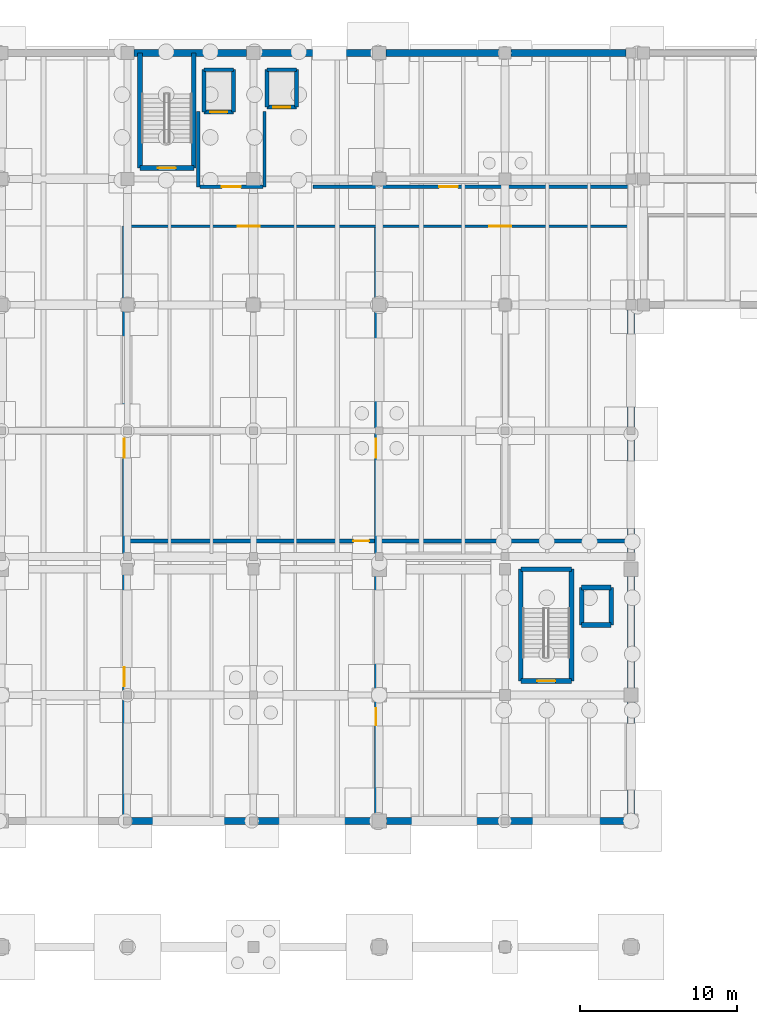
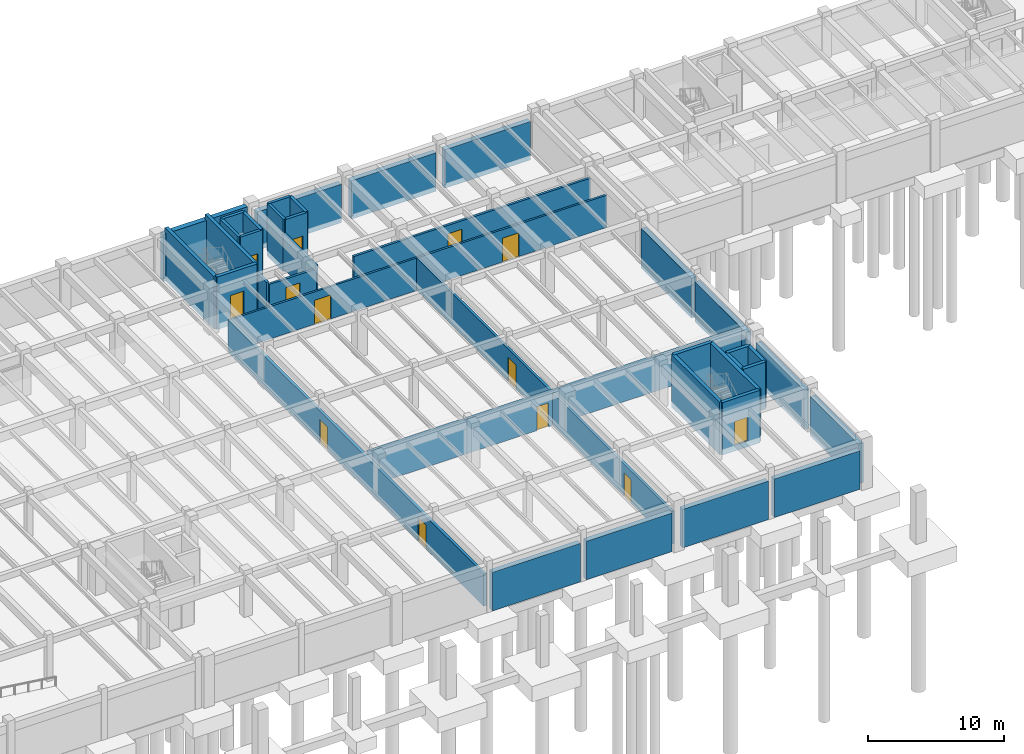
# One storey, part 15 of 25: 39 walls, 13 doors, 13 openings.
"""IFC4 building model written with IfcOpenShell, lengths in metres."""

from ifc_helpers import new_model, si_unit, direction, frame, frame_2d, origin, place, context, subcontext, project, spatial, rectangle, extrude, material, layer, layer_set, type_object, element, fill, save


model = new_model("IFC4")

# Units and contexts
model_context = context("Model", 3, precision=1e-05, world=origin(), true_north=direction((0.0, 1.0)))
body_context = subcontext(model_context, "Body", "Model", "MODEL_VIEW")
ifc_project = project(units=[si_unit("LENGTHUNIT", "METRE"), si_unit("AREAUNIT", "SQUARE_METRE"), si_unit("VOLUMEUNIT", "CUBIC_METRE"), si_unit("PLANEANGLEUNIT", "RADIAN"), si_unit("MASSUNIT", "GRAM", prefix="KILO")], contexts=[model_context])

# Site, building, storey
site_placement = place(None, origin())
site = spatial("IfcSite", under=ifc_project, at=site_placement, CompositionType="ELEMENT")
building_placement = place(site_placement, origin())
building = spatial("IfcBuilding", under=site, at=building_placement, Name="Tlaxcora Railside Police Headquarters", CompositionType="ELEMENT")
storey_placement = place(building_placement, frame((0.0, 0.0, -4.199951171875)))
storey = spatial("IfcBuildingStorey", under=building, at=storey_placement, Name="B1", CompositionType="ELEMENT", Elevation=-4.199951171875)

# Wall, openings, doors
ifc_material_1 = material(Name="Gypsum acoustic partition board")
ifc_layer_1 = layer(ifc_material_1, 0.175048828125, Name="Gypsum acoustic partition board")
ifc_layer_set_1 = layer_set([ifc_layer_1], Name="Gypsum acoustic partition board")
wall_type_1 = type_object("IfcWallType", Name="Interior Partition Wall IW-22", PredefinedType="PARTITIONING", material=ifc_layer_set_1)
wall_1_placement = place(storey_placement, frame((70.0, 81.800048828125, 0.0), z_axis=(0.0, 0.0, 1.0), x_axis=(1.0, 0.0, 0.0)))
wall_1 = element("IfcWall", 1, at=wall_1_placement, inside=storey, type_object=wall_type_1, Name="V5 B1 interior partition 12", PredefinedType="PARTITIONING", context=body_context, shape_type="SweptSolid", body=[
    extrude(rectangle(XDim=31.919921875, YDim=0.175048828125, at=frame_2d((15.9599609375, 0.0))), origin(), (0.0, 0.0, 1.0), 2.9150390625),
])
opening_1_placement = place(wall_1_placement, frame((7.0, 0.0, 0.0)))
opening_1 = element("IfcOpeningElement", 2, at=opening_1_placement, cuts=wall_1, Name="Opening D-B1-066", PredefinedType="OPENING", context=body_context, shape_type="SweptSolid", body=[
    extrude(rectangle(XDim=1.39990234375, YDim=2.14990234375, at=frame_2d((0.699951171875, 1.074951171875))), frame((0.0, 0.09765625, 0.0), z_axis=(0.0, -1.0, 0.0), x_axis=(1.0, 0.0, 0.0)), (0.0, 0.0, 1.0), 0.195068359375),
])
opening_2_placement = place(wall_1_placement, frame((23.0, 0.0, 0.0)))
opening_2 = element("IfcOpeningElement", 3, at=opening_2_placement, cuts=wall_1, Name="Opening D-B1-067", PredefinedType="OPENING", context=body_context, shape_type="SweptSolid", body=[
    extrude(rectangle(XDim=1.39990234375, YDim=2.14990234375, at=frame_2d((0.699951171875, 1.074951171875))), frame((0.0, 0.09765625, 0.0), z_axis=(0.0, -1.0, 0.0), x_axis=(1.0, 0.0, 0.0)), (0.0, 0.0, 1.0), 0.195068359375),
])
ifc_material_2 = material(Name="Steel ASTM A992 Grade 50", Category="steel")
door_type_1 = type_object("IfcDoorType", Name="Swing or Sliding Personnel Door ID-97", OperationType="NOTDEFINED", PredefinedType="DOOR", material=ifc_material_2)
door_1_placement = place(opening_1_placement, origin())
door_1 = element("IfcDoor", 4, at=door_1_placement, inside=storey, type_object=door_type_1, Name="V5 B1 door D-B1-066", OperationType="DOUBLE_DOOR_SINGLE_SWING", OverallHeight=2.14990234375, OverallWidth=1.39990234375, PredefinedType="DOOR", context=body_context, shape_type="SweptSolid", body=[
    extrude(rectangle(XDim=1.39990234375, YDim=2.14990234375, at=frame_2d((0.699951171875, 1.074951171875))), frame((0.0, 0.02490234375, 0.0), z_axis=(0.0, -1.0, 0.0), x_axis=(1.0, 0.0, 0.0)), (0.0, 0.0, 1.0), 0.050048828125),
])
fill(opening_1, door_1)
door_2_placement = place(opening_2_placement, origin())
door_2 = element("IfcDoor", 5, at=door_2_placement, inside=storey, type_object=door_type_1, Name="V5 B1 door D-B1-067", OperationType="DOUBLE_DOOR_SINGLE_SWING", OverallHeight=2.14990234375, OverallWidth=1.39990234375, PredefinedType="DOOR", context=body_context, shape_type="SweptSolid", body=[
    extrude(rectangle(XDim=1.39990234375, YDim=2.14990234375, at=frame_2d((0.699951171875, 1.074951171875))), frame((0.0, 0.02490234375, 0.0), z_axis=(0.0, -1.0, 0.0), x_axis=(1.0, 0.0, 0.0)), (0.0, 0.0, 1.0), 0.050048828125),
])
fill(opening_2, door_2)

# Wall, opening, door
ifc_material_3 = material(Name="Pressed clay brick masonry", Category="masonry")
ifc_layer_2 = layer(ifc_material_3, 0.199951171875, Name="Pressed clay brick masonry")
ifc_layer_set_2 = layer_set([ifc_layer_2], Name="Pressed clay brick masonry")
wall_type_2 = type_object("IfcWallType", Name="Interior Partition Wall IW-60", PredefinedType="PARTITIONING", material=ifc_layer_set_2)
wall_2_placement = place(storey_placement, frame((74.60009765625, 84.300048828125, 0.0), z_axis=(0.0, 0.0, 1.0), x_axis=(1.0, 0.0, 0.0)))
wall_2 = element("IfcWall", 6, at=wall_2_placement, inside=storey, type_object=wall_type_2, Name="V5 B1 interior partition 4", PredefinedType="PARTITIONING", context=body_context, shape_type="SweptSolid", body=[
    extrude(rectangle(XDim=4.0, YDim=0.199951171875, at=frame_2d((2.0, 0.0))), origin(), (0.0, 0.0, 1.0), 2.9150390625),
])
opening_3_placement = place(wall_2_placement, frame((1.39990234375, 0.0, 0.0)))
opening_3 = element("IfcOpeningElement", 7, at=opening_3_placement, cuts=wall_2, Name="Opening D-B1-060", PredefinedType="OPENING", context=body_context, shape_type="SweptSolid", body=[
    extrude(rectangle(XDim=1.199951171875, YDim=2.14990234375, at=frame_2d((0.60009765625, 1.074951171875))), frame((0.0, 0.10986328125, 0.0), z_axis=(0.0, -1.0, 0.0), x_axis=(1.0, 0.0, 0.0)), (0.0, 0.0, 1.0), 0.219970703125),
])
door_type_2 = type_object("IfcDoorType", Name="Swing or Sliding Personnel Door ID-14", OperationType="NOTDEFINED", PredefinedType="DOOR", material=ifc_material_2)
door_3_placement = place(opening_3_placement, origin())
door_3 = element("IfcDoor", 8, at=door_3_placement, inside=storey, type_object=door_type_2, Name="V5 B1 door D-B1-060", OperationType="DOUBLE_DOOR_SINGLE_SWING", OverallHeight=2.14990234375, OverallWidth=1.199951171875, PredefinedType="DOOR", context=body_context, shape_type="SweptSolid", body=[
    extrude(rectangle(XDim=1.199951171875, YDim=2.14990234375, at=frame_2d((0.60009765625, 1.074951171875))), frame((0.0, 0.02490234375, 0.0), z_axis=(0.0, -1.0, 0.0), x_axis=(1.0, 0.0, 0.0)), (0.0, 0.0, 1.0), 0.050048828125),
])
fill(opening_3, door_3)

# Walls
wall_3_placement = place(storey_placement, frame((74.5, 84.300048828125, 0.0), z_axis=(0.0, 0.0, 1.0), x_axis=(0.0, 1.0, 0.0)))
element("IfcWall", 9, at=wall_3_placement, inside=storey, type_object=wall_type_2, Name="V5 B1 interior partition 5", PredefinedType="PARTITIONING", context=body_context, shape_type="SweptSolid", body=[
    extrude(rectangle(XDim=4.800048828125, YDim=0.199951171875, at=frame_2d((2.39990234375, 0.0))), origin(), (0.0, 0.0, 1.0), 3.114990234375),
])
wall_4_placement = place(storey_placement, frame((78.699951171875, 84.300048828125, 0.0), z_axis=(0.0, 0.0, 1.0), x_axis=(0.0, 1.0, 0.0)))
element("IfcWall", 10, at=wall_4_placement, inside=storey, type_object=wall_type_2, Name="V5 B1 interior partition 6", PredefinedType="PARTITIONING", context=body_context, shape_type="SweptSolid", body=[
    extrude(rectangle(XDim=4.800048828125, YDim=0.199951171875, at=frame_2d((2.39990234375, 0.0))), origin(), (0.0, 0.0, 1.0), 3.1650390625),
])

# Wall, openings, doors
wall_5_placement = place(storey_placement, frame((85.800048828125, 44.080078125, 0.0), z_axis=(0.0, 0.0, 1.0), x_axis=(0.0, 1.0, 0.0)))
wall_5 = element("IfcWall", 11, at=wall_5_placement, inside=storey, type_object=wall_type_2, Name="V5 B1 interior partition 11", PredefinedType="PARTITIONING", context=body_context, shape_type="SweptSolid", body=[
    extrude(rectangle(XDim=37.719970703125, YDim=0.199951171875, at=frame_2d((18.85986328125, 0.0))), origin(), (0.0, 0.0, 1.0), 2.9150390625),
])
opening_4_placement = place(wall_5_placement, frame((6.0, 0.0, 0.0)))
opening_4 = element("IfcOpeningElement", 12, at=opening_4_placement, cuts=wall_5, Name="Opening D-B1-064", PredefinedType="OPENING", context=body_context, shape_type="SweptSolid", body=[
    extrude(rectangle(XDim=1.10009765625, YDim=2.14990234375, at=frame_2d((0.550048828125, 1.074951171875))), frame((0.0, 0.10986328125, 0.0), z_axis=(0.0, -1.0, 0.0), x_axis=(1.0, 0.0, 0.0)), (0.0, 0.0, 1.0), 0.219970703125),
])
opening_5_placement = place(wall_5_placement, frame((23.0, 0.0, 0.0)))
opening_5 = element("IfcOpeningElement", 13, at=opening_5_placement, cuts=wall_5, Name="Opening D-B1-065", PredefinedType="OPENING", context=body_context, shape_type="SweptSolid", body=[
    extrude(rectangle(XDim=1.199951171875, YDim=2.14990234375, at=frame_2d((0.60009765625, 1.074951171875))), frame((0.0, 0.10986328125, 0.0), z_axis=(0.0, -1.0, 0.0), x_axis=(1.0, 0.0, 0.0)), (0.0, 0.0, 1.0), 0.219970703125),
])
door_4_placement = place(opening_5_placement, origin())
door_4 = element("IfcDoor", 14, at=door_4_placement, inside=storey, type_object=door_type_2, Name="V5 B1 door D-B1-065", OperationType="DOUBLE_DOOR_SINGLE_SWING", OverallHeight=2.14990234375, OverallWidth=1.199951171875, PredefinedType="DOOR", context=body_context, shape_type="SweptSolid", body=[
    extrude(rectangle(XDim=1.199951171875, YDim=2.14990234375, at=frame_2d((0.60009765625, 1.074951171875))), frame((0.0, 0.02490234375, 0.0), z_axis=(0.0, -1.0, 0.0), x_axis=(1.0, 0.0, 0.0)), (0.0, 0.0, 1.0), 0.050048828125),
])
fill(opening_5, door_4)
door_type_3 = type_object("IfcDoorType", Name="Swing or Sliding Personnel Door ID-25", OperationType="NOTDEFINED", PredefinedType="DOOR", material=ifc_material_2)
door_5_placement = place(opening_4_placement, origin())
door_5 = element("IfcDoor", 15, at=door_5_placement, inside=storey, type_object=door_type_3, Name="V5 B1 door D-B1-064", OperationType="SINGLE_SWING_RIGHT", OverallHeight=2.14990234375, OverallWidth=1.10009765625, PredefinedType="DOOR", context=body_context, shape_type="SweptSolid", body=[
    extrude(rectangle(XDim=1.10009765625, YDim=2.14990234375, at=frame_2d((0.550048828125, 1.074951171875))), frame((0.0, 0.02490234375, 0.0), z_axis=(0.0, -1.0, 0.0), x_axis=(1.0, 0.0, 0.0)), (0.0, 0.0, 1.0), 0.050048828125),
])
fill(opening_4, door_5)

# Wall, opening, door
wall_6_placement = place(storey_placement, frame((81.800048828125, 84.300048828125, 0.0), z_axis=(0.0, 0.0, 1.0), x_axis=(1.0, 0.0, 0.0)))
wall_6 = element("IfcWall", 16, at=wall_6_placement, inside=storey, type_object=wall_type_2, Name="V5 B1 interior partition 16", PredefinedType="PARTITIONING", context=body_context, shape_type="SweptSolid", body=[
    extrude(rectangle(XDim=20.119873046875, YDim=0.199951171875, at=frame_2d((10.06005859375, 0.0))), origin(), (0.0, 0.0, 1.0), 2.9150390625),
])
opening_6_placement = place(wall_6_placement, frame((8.0, 0.0, 0.0)))
opening_6 = element("IfcOpeningElement", 17, at=opening_6_placement, cuts=wall_6, Name="Opening D-B1-071", PredefinedType="OPENING", context=body_context, shape_type="SweptSolid", body=[
    extrude(rectangle(XDim=1.199951171875, YDim=2.14990234375, at=frame_2d((0.60009765625, 1.074951171875))), frame((0.0, 0.10986328125, 0.0), z_axis=(0.0, -1.0, 0.0), x_axis=(1.0, 0.0, 0.0)), (0.0, 0.0, 1.0), 0.219970703125),
])
door_6_placement = place(opening_6_placement, origin())
door_6 = element("IfcDoor", 18, at=door_6_placement, inside=storey, type_object=door_type_2, Name="V5 B1 door D-B1-071", OperationType="DOUBLE_DOOR_SINGLE_SWING", OverallHeight=2.14990234375, OverallWidth=1.199951171875, PredefinedType="DOOR", context=body_context, shape_type="SweptSolid", body=[
    extrude(rectangle(XDim=1.199951171875, YDim=2.14990234375, at=frame_2d((0.60009765625, 1.074951171875))), frame((0.0, 0.02490234375, 0.0), z_axis=(0.0, -1.0, 0.0), x_axis=(1.0, 0.0, 0.0)), (0.0, 0.0, 1.0), 0.050048828125),
])
fill(opening_6, door_6)

# Wall, openings, doors
ifc_layer_3 = layer(ifc_material_3, 0.239990234375, Name="Pressed clay brick masonry")
ifc_layer_set_3 = layer_set([ifc_layer_3], Name="Pressed clay brick masonry")
wall_type_3 = type_object("IfcWallType", Name="Interior Partition Wall IW-85", PredefinedType="PARTITIONING", material=ifc_layer_set_3)
wall_7_placement = place(storey_placement, frame((69.800048828125, 44.080078125, 0.0), z_axis=(0.0, 0.0, 1.0), x_axis=(0.0, 1.0, 0.0)))
wall_7 = element("IfcWall", 19, at=wall_7_placement, inside=storey, type_object=wall_type_3, Name="V5 B1 interior partition 9", PredefinedType="PARTITIONING", context=body_context, shape_type="SweptSolid", body=[
    extrude(rectangle(XDim=37.719970703125, YDim=0.239990234375, at=frame_2d((18.85986328125, 0.0))), origin(), (0.0, 0.0, 1.0), 2.9150390625),
])
opening_7_placement = place(wall_7_placement, frame((8.5, 0.0, 0.0)))
opening_7 = element("IfcOpeningElement", 20, at=opening_7_placement, cuts=wall_7, Name="Opening D-B1-061", PredefinedType="OPENING", context=body_context, shape_type="SweptSolid", body=[
    extrude(rectangle(XDim=1.199951171875, YDim=2.14990234375, at=frame_2d((0.60009765625, 1.074951171875))), frame((0.0, 0.1298828125, 0.0), z_axis=(0.0, -1.0, 0.0), x_axis=(1.0, 0.0, 0.0)), (0.0, 0.0, 1.0), 0.260009765625),
])
opening_8_placement = place(wall_7_placement, frame((23.0, 0.0, 0.0)))
opening_8 = element("IfcOpeningElement", 21, at=opening_8_placement, cuts=wall_7, Name="Opening D-B1-062", PredefinedType="OPENING", context=body_context, shape_type="SweptSolid", body=[
    extrude(rectangle(XDim=1.199951171875, YDim=2.14990234375, at=frame_2d((0.60009765625, 1.074951171875))), frame((0.0, 0.1298828125, 0.0), z_axis=(0.0, -1.0, 0.0), x_axis=(1.0, 0.0, 0.0)), (0.0, 0.0, 1.0), 0.260009765625),
])
door_7_placement = place(opening_7_placement, origin())
door_7 = element("IfcDoor", 22, at=door_7_placement, inside=storey, type_object=door_type_2, Name="V5 B1 door D-B1-061", OperationType="DOUBLE_DOOR_SINGLE_SWING", OverallHeight=2.14990234375, OverallWidth=1.199951171875, PredefinedType="DOOR", context=body_context, shape_type="SweptSolid", body=[
    extrude(rectangle(XDim=1.199951171875, YDim=2.14990234375, at=frame_2d((0.60009765625, 1.074951171875))), frame((0.0, 0.02490234375, 0.0), z_axis=(0.0, -1.0, 0.0), x_axis=(1.0, 0.0, 0.0)), (0.0, 0.0, 1.0), 0.050048828125),
])
fill(opening_7, door_7)
door_8_placement = place(opening_8_placement, origin())
door_8 = element("IfcDoor", 23, at=door_8_placement, inside=storey, type_object=door_type_2, Name="V5 B1 door D-B1-062", OperationType="DOUBLE_DOOR_SINGLE_SWING", OverallHeight=2.14990234375, OverallWidth=1.199951171875, PredefinedType="DOOR", context=body_context, shape_type="SweptSolid", body=[
    extrude(rectangle(XDim=1.199951171875, YDim=2.14990234375, at=frame_2d((0.60009765625, 1.074951171875))), frame((0.0, 0.02490234375, 0.0), z_axis=(0.0, -1.0, 0.0), x_axis=(1.0, 0.0, 0.0)), (0.0, 0.0, 1.0), 0.050048828125),
])
fill(opening_8, door_8)

# Wall, opening, door
wall_8_placement = place(storey_placement, frame((70.0, 61.800048828125, 0.0), z_axis=(0.0, 0.0, 1.0), x_axis=(1.0, 0.0, 0.0)))
wall_8 = element("IfcWall", 24, at=wall_8_placement, inside=storey, type_object=wall_type_3, Name="V5 B1 interior partition 10", PredefinedType="PARTITIONING", context=body_context, shape_type="SweptSolid", body=[
    extrude(rectangle(XDim=31.919921875, YDim=0.239990234375, at=frame_2d((15.9599609375, 0.0))), origin(), (0.0, 0.0, 1.0), 3.114990234375),
])
opening_9_placement = place(wall_8_placement, frame((14.360107421875, 0.0, 0.0)))
opening_9 = element("IfcOpeningElement", 25, at=opening_9_placement, cuts=wall_8, Name="Opening D-B1-063", PredefinedType="OPENING", context=body_context, shape_type="SweptSolid", body=[
    extrude(rectangle(XDim=1.0, YDim=2.14990234375, at=frame_2d((0.5, 1.074951171875))), frame((0.0, 0.1298828125, 0.0), z_axis=(0.0, -1.0, 0.0), x_axis=(1.0, 0.0, 0.0)), (0.0, 0.0, 1.0), 0.260009765625),
])
door_type_4 = type_object("IfcDoorType", Name="Swing or Sliding Personnel Door ID-55", OperationType="NOTDEFINED", PredefinedType="DOOR", material=ifc_material_2)
door_9_placement = place(opening_9_placement, origin())
door_9 = element("IfcDoor", 26, at=door_9_placement, inside=storey, type_object=door_type_4, Name="V5 B1 door D-B1-063", OperationType="SINGLE_SWING_LEFT", OverallHeight=2.14990234375, OverallWidth=1.0, PredefinedType="DOOR", context=body_context, shape_type="SweptSolid", body=[
    extrude(rectangle(XDim=1.0, YDim=2.14990234375, at=frame_2d((0.5, 1.074951171875))), frame((0.0, 0.02490234375, 0.0), z_axis=(0.0, -1.0, 0.0), x_axis=(1.0, 0.0, 0.0)), (0.0, 0.0, 1.0), 0.050048828125),
])
fill(opening_9, door_9)

ifc_material_4 = material(Name="Concrete C40/50", Category="concrete")
ifc_layer_4 = layer(ifc_material_4, 0.25, Name="Concrete C40/50")
ifc_layer_set_4 = layer_set([ifc_layer_4], Name="Concrete C40/50")
wall_type_4 = type_object("IfcWallType", Name="Shear Core Wall IW-13", PredefinedType="SHEAR", material=ifc_layer_set_4)
wall_9_placement = place(storey_placement, frame((74.860107421875, 89.06005859375, -0.5), z_axis=(0.0, 0.0, 1.0), x_axis=(1.0, 0.0, 0.0)))
wall_9 = element("IfcWall", 27, at=wall_9_placement, inside=storey, type_object=wall_type_4, Name="Lift FFL-02 B1 shaft wall S", PredefinedType="SHEAR", context=body_context, shape_type="SweptSolid", body=[
    extrude(rectangle(XDim=1.8798828125, YDim=0.25, at=frame_2d((0.93994140625, 0.0))), origin(), (0.0, 0.0, 1.0), 4.699951171875),
])
opening_10_placement = place(wall_9_placement, frame((0.389892578125, 0.0, 0.5)))
opening_10 = element("IfcOpeningElement", 28, at=opening_10_placement, cuts=wall_9, Name="Opening LD-FFL-02-B1", PredefinedType="OPENING", context=body_context, shape_type="SweptSolid", body=[
    extrude(rectangle(XDim=1.10009765625, YDim=2.199951171875, at=frame_2d((0.550048828125, 1.10009765625))), frame((0.0, 0.135009765625, 0.0), z_axis=(0.0, -1.0, 0.0), x_axis=(1.0, 0.0, 0.0)), (0.0, 0.0, 1.0), 0.27001953125),
])
door_type_5 = type_object("IfcDoorType", Name="Swing or Sliding Personnel Door ID-15", OperationType="NOTDEFINED", PredefinedType="DOOR", material=ifc_material_2)
door_10_placement = place(opening_10_placement, origin())
door_10 = element("IfcDoor", 29, at=door_10_placement, inside=storey, type_object=door_type_5, Name="Lift FFL-02 B1 sliding landing door", OperationType="DOUBLE_DOOR_SLIDING", OverallHeight=2.199951171875, OverallWidth=1.10009765625, PredefinedType="DOOR", context=body_context, shape_type="SweptSolid", body=[
    extrude(rectangle(XDim=1.10009765625, YDim=2.199951171875, at=frame_2d((0.550048828125, 1.10009765625))), frame((0.0, 0.02490234375, 0.0), z_axis=(0.0, -1.0, 0.0), x_axis=(1.0, 0.0, 0.0)), (0.0, 0.0, 1.0), 0.050048828125),
])
fill(opening_10, door_10)

# Walls
wall_10_placement = place(storey_placement, frame((76.739990234375, 89.06005859375, -0.5), z_axis=(0.0, 0.0, 1.0), x_axis=(0.0, 1.0, 0.0)))
element("IfcWall", 30, at=wall_10_placement, inside=storey, type_object=wall_type_4, Name="Lift FFL-02 B1 shaft wall E", PredefinedType="SHEAR", context=body_context, shape_type="SweptSolid", body=[
    extrude(rectangle(XDim=2.679931640625, YDim=0.25, at=frame_2d((1.33984375, 0.0))), origin(), (0.0, 0.0, 1.0), 4.699951171875),
])
wall_11_placement = place(storey_placement, frame((76.739990234375, 91.739990234375, -0.5), z_axis=(0.0, 0.0, 1.0), x_axis=(-1.0, 0.0, 0.0)))
element("IfcWall", 31, at=wall_11_placement, inside=storey, type_object=wall_type_4, Name="Lift FFL-02 B1 shaft wall N", PredefinedType="SHEAR", context=body_context, shape_type="SweptSolid", body=[
    extrude(rectangle(XDim=1.8798828125, YDim=0.25, at=frame_2d((0.93994140625, 0.0))), origin(), (0.0, 0.0, 1.0), 4.699951171875),
])
wall_12_placement = place(storey_placement, frame((74.860107421875, 91.739990234375, -0.5), z_axis=(0.0, 0.0, 1.0), x_axis=(0.0, -1.0, 0.0)))
element("IfcWall", 32, at=wall_12_placement, inside=storey, type_object=wall_type_4, Name="Lift FFL-02 B1 shaft wall W", PredefinedType="SHEAR", context=body_context, shape_type="SweptSolid", body=[
    extrude(rectangle(XDim=2.679931640625, YDim=0.25, at=frame_2d((1.33984375, 0.0))), origin(), (0.0, 0.0, 1.0), 4.699951171875),
])

# Wall, opening, door
wall_13_placement = place(storey_placement, frame((78.860107421875, 89.360107421875, -0.5), z_axis=(0.0, 0.0, 1.0), x_axis=(1.0, 0.0, 0.0)))
wall_13 = element("IfcWall", 33, at=wall_13_placement, inside=storey, type_object=wall_type_4, Name="Lift PL-03 B1 shaft wall S", PredefinedType="SHEAR", context=body_context, shape_type="SweptSolid", body=[
    extrude(rectangle(XDim=1.8798828125, YDim=0.25, at=frame_2d((0.93994140625, 0.0))), origin(), (0.0, 0.0, 1.0), 4.699951171875),
])
opening_11_placement = place(wall_13_placement, frame((0.389892578125, 0.0, 0.5)))
opening_11 = element("IfcOpeningElement", 34, at=opening_11_placement, cuts=wall_13, Name="Opening LD-PL-03-B1", PredefinedType="OPENING", context=body_context, shape_type="SweptSolid", body=[
    extrude(rectangle(XDim=1.10009765625, YDim=2.199951171875, at=frame_2d((0.550048828125, 1.10009765625))), frame((0.0, 0.135009765625, 0.0), z_axis=(0.0, -1.0, 0.0), x_axis=(1.0, 0.0, 0.0)), (0.0, 0.0, 1.0), 0.27001953125),
])
door_11_placement = place(opening_11_placement, origin())
door_11 = element("IfcDoor", 35, at=door_11_placement, inside=storey, type_object=door_type_5, Name="Lift PL-03 B1 sliding landing door", OperationType="DOUBLE_DOOR_SLIDING", OverallHeight=2.199951171875, OverallWidth=1.10009765625, PredefinedType="DOOR", context=body_context, shape_type="SweptSolid", body=[
    extrude(rectangle(XDim=1.10009765625, YDim=2.199951171875, at=frame_2d((0.550048828125, 1.10009765625))), frame((0.0, 0.02490234375, 0.0), z_axis=(0.0, -1.0, 0.0), x_axis=(1.0, 0.0, 0.0)), (0.0, 0.0, 1.0), 0.050048828125),
])
fill(opening_11, door_11)

# Walls
wall_14_placement = place(storey_placement, frame((80.739990234375, 89.360107421875, -0.5), z_axis=(0.0, 0.0, 1.0), x_axis=(0.0, 1.0, 0.0)))
element("IfcWall", 36, at=wall_14_placement, inside=storey, type_object=wall_type_4, Name="Lift PL-03 B1 shaft wall E", PredefinedType="SHEAR", context=body_context, shape_type="SweptSolid", body=[
    extrude(rectangle(XDim=2.3798828125, YDim=0.25, at=frame_2d((1.18994140625, 0.0))), origin(), (0.0, 0.0, 1.0), 4.699951171875),
])
wall_15_placement = place(storey_placement, frame((80.739990234375, 91.739990234375, -0.5), z_axis=(0.0, 0.0, 1.0), x_axis=(-1.0, 0.0, 0.0)))
element("IfcWall", 37, at=wall_15_placement, inside=storey, type_object=wall_type_4, Name="Lift PL-03 B1 shaft wall N", PredefinedType="SHEAR", context=body_context, shape_type="SweptSolid", body=[
    extrude(rectangle(XDim=1.8798828125, YDim=0.25, at=frame_2d((0.93994140625, 0.0))), origin(), (0.0, 0.0, 1.0), 4.699951171875),
])
wall_16_placement = place(storey_placement, frame((78.860107421875, 91.739990234375, -0.5), z_axis=(0.0, 0.0, 1.0), x_axis=(0.0, -1.0, 0.0)))
element("IfcWall", 38, at=wall_16_placement, inside=storey, type_object=wall_type_4, Name="Lift PL-03 B1 shaft wall W", PredefinedType="SHEAR", context=body_context, shape_type="SweptSolid", body=[
    extrude(rectangle(XDim=2.3798828125, YDim=0.25, at=frame_2d((1.18994140625, 0.0))), origin(), (0.0, 0.0, 1.0), 4.699951171875),
])

# Wall, opening, door
ifc_layer_5 = layer(ifc_material_4, 0.300048828125, Name="Concrete C40/50")
ifc_layer_set_5 = layer_set([ifc_layer_5], Name="Concrete C40/50")
wall_type_5 = type_object("IfcWallType", Name="Shear Core Wall IW-28", PredefinedType="SHEAR", material=ifc_layer_set_5)
wall_17_placement = place(storey_placement, frame((70.800048828125, 85.5, -0.52001953125), z_axis=(0.0, 0.0, 1.0), x_axis=(1.0, 0.0, 0.0)))
wall_17 = element("IfcWall", 39, at=wall_17_placement, inside=storey, type_object=wall_type_5, Name="CORE-C2 B1 stair core wall S", PredefinedType="SHEAR", context=body_context, shape_type="SweptSolid", body=[
    extrude(rectangle(XDim=3.419921875, YDim=0.300048828125, at=frame_2d((1.7099609375, 0.0))), origin(), (0.0, 0.0, 1.0), 4.719970703125),
])
opening_12_placement = place(wall_17_placement, frame((1.135009765625, 0.0, 0.52001953125)))
opening_12 = element("IfcOpeningElement", 40, at=opening_12_placement, cuts=wall_17, Name="Opening SD-B1-010", PredefinedType="OPENING", context=body_context, shape_type="SweptSolid", body=[
    extrude(rectangle(XDim=1.14990234375, YDim=2.14990234375, at=frame_2d((0.574951171875, 1.074951171875))), frame((0.0, 0.16015625, 0.0), z_axis=(0.0, -1.0, 0.0), x_axis=(1.0, 0.0, 0.0)), (0.0, 0.0, 1.0), 0.320068359375),
])
door_type_6 = type_object("IfcDoorType", Name="Swing or Sliding Personnel Door ID-73", OperationType="NOTDEFINED", PredefinedType="DOOR", material=ifc_material_2)
door_12_placement = place(opening_12_placement, origin())
door_12 = element("IfcDoor", 41, at=door_12_placement, inside=storey, type_object=door_type_6, Name="Stair ST2 B1 enclosure fire door", OperationType="SINGLE_SWING_RIGHT", OverallHeight=2.14990234375, OverallWidth=1.14990234375, PredefinedType="DOOR", context=body_context, shape_type="SweptSolid", body=[
    extrude(rectangle(XDim=1.14990234375, YDim=2.14990234375, at=frame_2d((0.574951171875, 1.074951171875))), frame((0.0, 0.02490234375, 0.0), z_axis=(0.0, -1.0, 0.0), x_axis=(1.0, 0.0, 0.0)), (0.0, 0.0, 1.0), 0.050048828125),
])
fill(opening_12, door_12)

# Walls
for number, where, z_axis, x_axis, name in (
    (42, (74.219970703125, 85.5, -0.52001953125), (0.0, 0.0, 1.0), (0.0, 1.0, 0.0), "CORE-C2 B1 stair core wall E"),
    (43, (70.800048828125, 92.800048828125, -0.52001953125), (0.0, 0.0, 1.0), (0.0, -1.0, 0.0), "CORE-C2 B1 stair core wall W"),
):
    element("IfcWall", number, at=place(storey_placement, frame(where, z_axis=z_axis, x_axis=x_axis)), inside=storey, type_object=wall_type_5, Name=name, PredefinedType="SHEAR", context=body_context, shape_type="SweptSolid", body=[
        extrude(rectangle(XDim=7.300048828125, YDim=0.300048828125, at=frame_2d((3.64990234375, 0.0))), origin(), (0.0, 0.0, 1.0), 4.719970703125),
    ])

# Wall, opening, door
wall_18_placement = place(storey_placement, frame((95.0, 52.89990234375, -0.52001953125), z_axis=(0.0, 0.0, 1.0), x_axis=(1.0, 0.0, 0.0)))
wall_18 = element("IfcWall", 44, at=wall_18_placement, inside=storey, type_object=wall_type_5, Name="CORE-C5 B1 stair core wall S", PredefinedType="SHEAR", context=body_context, shape_type="SweptSolid", body=[
    extrude(rectangle(XDim=3.219970703125, YDim=0.300048828125, at=frame_2d((1.60986328125, 0.0))), origin(), (0.0, 0.0, 1.0), 4.719970703125),
])
opening_13_placement = place(wall_18_placement, frame((1.034912109375, 0.0, 0.52001953125)))
opening_13 = element("IfcOpeningElement", 45, at=opening_13_placement, cuts=wall_18, Name="Opening SD-B1-036", PredefinedType="OPENING", context=body_context, shape_type="SweptSolid", body=[
    extrude(rectangle(XDim=1.14990234375, YDim=2.14990234375, at=frame_2d((0.574951171875, 1.074951171875))), frame((0.0, 0.16015625, 0.0), z_axis=(0.0, -1.0, 0.0), x_axis=(1.0, 0.0, 0.0)), (0.0, 0.0, 1.0), 0.320068359375),
])
door_13_placement = place(opening_13_placement, origin())
door_13 = element("IfcDoor", 46, at=door_13_placement, inside=storey, type_object=door_type_6, Name="Stair ST9 B1 enclosure fire door", OperationType="SINGLE_SWING_RIGHT", OverallHeight=2.14990234375, OverallWidth=1.14990234375, PredefinedType="DOOR", context=body_context, shape_type="SweptSolid", body=[
    extrude(rectangle(XDim=1.14990234375, YDim=2.14990234375, at=frame_2d((0.574951171875, 1.074951171875))), frame((0.0, 0.02490234375, 0.0), z_axis=(0.0, -1.0, 0.0), x_axis=(1.0, 0.0, 0.0)), (0.0, 0.0, 1.0), 0.050048828125),
])
fill(opening_13, door_13)

# Walls
wall_19_placement = place(storey_placement, frame((98.219970703125, 52.89990234375, -0.52001953125), z_axis=(0.0, 0.0, 1.0), x_axis=(0.0, 1.0, 0.0)))
element("IfcWall", 47, at=wall_19_placement, inside=storey, type_object=wall_type_5, Name="CORE-C5 B1 stair core wall E", PredefinedType="SHEAR", context=body_context, shape_type="SweptSolid", body=[
    extrude(rectangle(XDim=7.10009765625, YDim=0.300048828125, at=frame_2d((3.550048828125, 0.0))), origin(), (0.0, 0.0, 1.0), 4.719970703125),
])
wall_20_placement = place(storey_placement, frame((98.219970703125, 60.0, -0.52001953125), z_axis=(0.0, 0.0, 1.0), x_axis=(-1.0, 0.0, 0.0)))
element("IfcWall", 48, at=wall_20_placement, inside=storey, type_object=wall_type_5, Name="CORE-C5 B1 stair core wall N", PredefinedType="SHEAR", context=body_context, shape_type="SweptSolid", body=[
    extrude(rectangle(XDim=3.219970703125, YDim=0.300048828125, at=frame_2d((1.60986328125, 0.0))), origin(), (0.0, 0.0, 1.0), 4.719970703125),
])
wall_21_placement = place(storey_placement, frame((95.0, 60.0, -0.52001953125), z_axis=(0.0, 0.0, 1.0), x_axis=(0.0, -1.0, 0.0)))
element("IfcWall", 49, at=wall_21_placement, inside=storey, type_object=wall_type_5, Name="CORE-C5 B1 stair core wall W", PredefinedType="SHEAR", context=body_context, shape_type="SweptSolid", body=[
    extrude(rectangle(XDim=7.10009765625, YDim=0.300048828125, at=frame_2d((3.550048828125, 0.0))), origin(), (0.0, 0.0, 1.0), 4.719970703125),
])
wall_22_placement = place(storey_placement, frame((98.860107421875, 56.4599609375, -0.52001953125), z_axis=(0.0, 0.0, 1.0), x_axis=(1.0, 0.0, 0.0)))
element("IfcWall", 50, at=wall_22_placement, inside=storey, type_object=wall_type_5, Name="Lift PL-05 B1 substructure support wall S", PredefinedType="SHEAR", context=body_context, shape_type="SweptSolid", body=[
    extrude(rectangle(XDim=1.8798828125, YDim=0.300048828125, at=frame_2d((0.93994140625, 0.0))), origin(), (0.0, 0.0, 1.0), 4.219970703125),
])
wall_23_placement = place(storey_placement, frame((100.739990234375, 56.4599609375, -0.52001953125), z_axis=(0.0, 0.0, 1.0), x_axis=(0.0, 1.0, 0.0)))
element("IfcWall", 51, at=wall_23_placement, inside=storey, type_object=wall_type_5, Name="Lift PL-05 B1 substructure support wall E", PredefinedType="SHEAR", context=body_context, shape_type="SweptSolid", body=[
    extrude(rectangle(XDim=2.380126953125, YDim=0.300048828125, at=frame_2d((1.18994140625, 0.0))), origin(), (0.0, 0.0, 1.0), 4.219970703125),
])
wall_24_placement = place(storey_placement, frame((100.739990234375, 58.840087890625, -0.52001953125), z_axis=(0.0, 0.0, 1.0), x_axis=(-1.0, 0.0, 0.0)))
element("IfcWall", 52, at=wall_24_placement, inside=storey, type_object=wall_type_5, Name="Lift PL-05 B1 substructure support wall N", PredefinedType="SHEAR", context=body_context, shape_type="SweptSolid", body=[
    extrude(rectangle(XDim=1.8798828125, YDim=0.300048828125, at=frame_2d((0.93994140625, 0.0))), origin(), (0.0, 0.0, 1.0), 4.219970703125),
])
wall_25_placement = place(storey_placement, frame((98.860107421875, 58.840087890625, -0.52001953125), z_axis=(0.0, 0.0, 1.0), x_axis=(0.0, -1.0, 0.0)))
element("IfcWall", 53, at=wall_25_placement, inside=storey, type_object=wall_type_5, Name="Lift PL-05 B1 substructure support wall W", PredefinedType="SHEAR", context=body_context, shape_type="SweptSolid", body=[
    extrude(rectangle(XDim=2.380126953125, YDim=0.300048828125, at=frame_2d((1.18994140625, 0.0))), origin(), (0.0, 0.0, 1.0), 4.219970703125),
])
ifc_material_5 = material(Name="Concrete C35/45", Category="concrete")
ifc_layer_6 = layer(ifc_material_5, 0.429931640625, Name="Concrete C35/45")
ifc_layer_set_6 = layer_set([ifc_layer_6], Name="Concrete C35/45")
wall_type_6 = type_object("IfcWallType", Name="Structural Bearing Wall EW-49", PredefinedType="SOLIDWALL", material=ifc_layer_set_6)
wall_26_placement = place(storey_placement, frame((70.25, 44.0, -0.43994140625), z_axis=(0.0, 0.0, 1.0), x_axis=(1.0, 0.0, 0.0)))
element("IfcWall", 54, at=wall_26_placement, inside=storey, type_object=wall_type_6, Name="V5 B1 exterior wall 0.8", PredefinedType="SOLIDWALL", context=body_context, shape_type="SweptSolid", body=[
    extrude(rectangle(XDim=7.5, YDim=0.429931640625, at=frame_2d((3.75, 0.0))), origin(), (0.0, 0.0, 1.0), 3.469970703125),
])
for number, where, z_axis, x_axis, name in (
    (55, (78.25, 44.0, -0.43994140625), (0.0, 0.0, 1.0), (1.0, 0.0, 0.0), "V5 B1 exterior wall 0.9"),
    (56, (86.449951171875, 44.0, -0.43994140625), (0.0, 0.0, 1.0), (1.0, 0.0, 0.0), "V5 B1 exterior wall 0.10"),
    (57, (94.25, 44.0, -0.43994140625), (0.0, 0.0, 1.0), (1.0, 0.0, 0.0), "V5 B1 exterior wall 0.11"),
):
    element("IfcWall", number, at=place(storey_placement, frame(where, z_axis=z_axis, x_axis=x_axis)), inside=storey, type_object=wall_type_6, Name=name, PredefinedType="SOLIDWALL", context=body_context, shape_type="SweptSolid", body=[
        extrude(rectangle(XDim=7.300048828125, YDim=0.429931640625, at=frame_2d((3.64990234375, 0.0))), origin(), (0.0, 0.0, 1.0), 3.469970703125),
    ])
for number, where, z_axis, x_axis, name in (
    (58, (102.0, 44.449951171875, -0.43994140625), (0.0, 0.0, 1.0), (0.0, 1.0, 0.0), "V5 B1 exterior wall 1.0"),
    (59, (102.0, 52.449951171875, -0.43994140625), (0.0, 0.0, 1.0), (0.0, 1.0, 0.0), "V5 B1 exterior wall 1.1"),
):
    element("IfcWall", number, at=place(storey_placement, frame(where, z_axis=z_axis, x_axis=x_axis)), inside=storey, type_object=wall_type_6, Name=name, PredefinedType="SOLIDWALL", context=body_context, shape_type="SweptSolid", body=[
        extrude(rectangle(XDim=7.10009765625, YDim=0.429931640625, at=frame_2d((3.550048828125, 0.0))), origin(), (0.0, 0.0, 1.0), 3.56982421875),
    ])
wall_27_placement = place(storey_placement, frame((102.0, 61.050048828125, -0.43994140625), z_axis=(0.0, 0.0, 1.0), x_axis=(0.0, 1.0, 0.0)))
element("IfcWall", 60, at=wall_27_placement, inside=storey, type_object=wall_type_6, Name="V5 B1 exterior wall 1.2", PredefinedType="SOLIDWALL", context=body_context, shape_type="SweptSolid", body=[
    extrude(rectangle(XDim=7.5, YDim=0.429931640625, at=frame_2d((3.75, 0.0))), origin(), (0.0, 0.0, 1.0), 3.56982421875),
])
wall_28_placement = place(storey_placement, frame((102.0, 69.050048828125, -0.43994140625), z_axis=(0.0, 0.0, 1.0), x_axis=(0.0, 1.0, 0.0)))
element("IfcWall", 61, at=wall_28_placement, inside=storey, type_object=wall_type_6, Name="V5 B1 exterior wall 1.3", PredefinedType="SOLIDWALL", context=body_context, shape_type="SweptSolid", body=[
    extrude(rectangle(XDim=7.425048828125, YDim=0.429931640625, at=frame_2d((3.71240234375, 0.0))), origin(), (0.0, 0.0, 1.0), 3.56982421875),
])
wall_29_placement = place(storey_placement, frame((101.675048828125, 92.800048828125, -0.43994140625), z_axis=(0.0, 0.0, 1.0), x_axis=(-1.0, 0.0, 0.0)))
element("IfcWall", 62, at=wall_29_placement, inside=storey, type_object=wall_type_6, Name="V5 B1 exterior wall 2.0", PredefinedType="SOLIDWALL", context=body_context, shape_type="SweptSolid", body=[
    extrude(rectangle(XDim=7.300048828125, YDim=0.429931640625, at=frame_2d((3.64990234375, 0.0))), origin(), (0.0, 0.0, 1.0), 3.469970703125),
])
wall_30_placement = place(storey_placement, frame((93.625, 92.800048828125, -0.43994140625), z_axis=(0.0, 0.0, 1.0), x_axis=(-1.0, 0.0, 0.0)))
element("IfcWall", 63, at=wall_30_placement, inside=storey, type_object=wall_type_6, Name="V5 B1 exterior wall 2.1", PredefinedType="SOLIDWALL", context=body_context, shape_type="SweptSolid", body=[
    extrude(rectangle(XDim=7.199951171875, YDim=0.429931640625, at=frame_2d((3.60009765625, 0.0))), origin(), (0.0, 0.0, 1.0), 3.469970703125),
])
wall_31_placement = place(storey_placement, frame((85.574951171875, 92.800048828125, -0.43994140625), z_axis=(0.0, 0.0, 1.0), x_axis=(-1.0, 0.0, 0.0)))
element("IfcWall", 64, at=wall_31_placement, inside=storey, type_object=wall_type_6, Name="V5 B1 exterior wall 2.2", PredefinedType="SOLIDWALL", context=body_context, shape_type="SweptSolid", body=[
    extrude(rectangle(XDim=7.14990234375, YDim=0.429931640625, at=frame_2d((3.574951171875, 0.0))), origin(), (0.0, 0.0, 1.0), 3.469970703125),
])
wall_32_placement = place(storey_placement, frame((77.574951171875, 92.800048828125, -0.43994140625), z_axis=(0.0, 0.0, 1.0), x_axis=(-1.0, 0.0, 0.0)))
element("IfcWall", 65, at=wall_32_placement, inside=storey, type_object=wall_type_6, Name="V5 B1 exterior wall 2.3", PredefinedType="SOLIDWALL", context=body_context, shape_type="SweptSolid", body=[
    extrude(rectangle(XDim=7.14990234375, YDim=0.429931640625, at=frame_2d((3.574951171875, 0.0))), origin(), (0.0, 0.0, 1.0), 4.219970703125),
])

save(model, "model.ifc")
